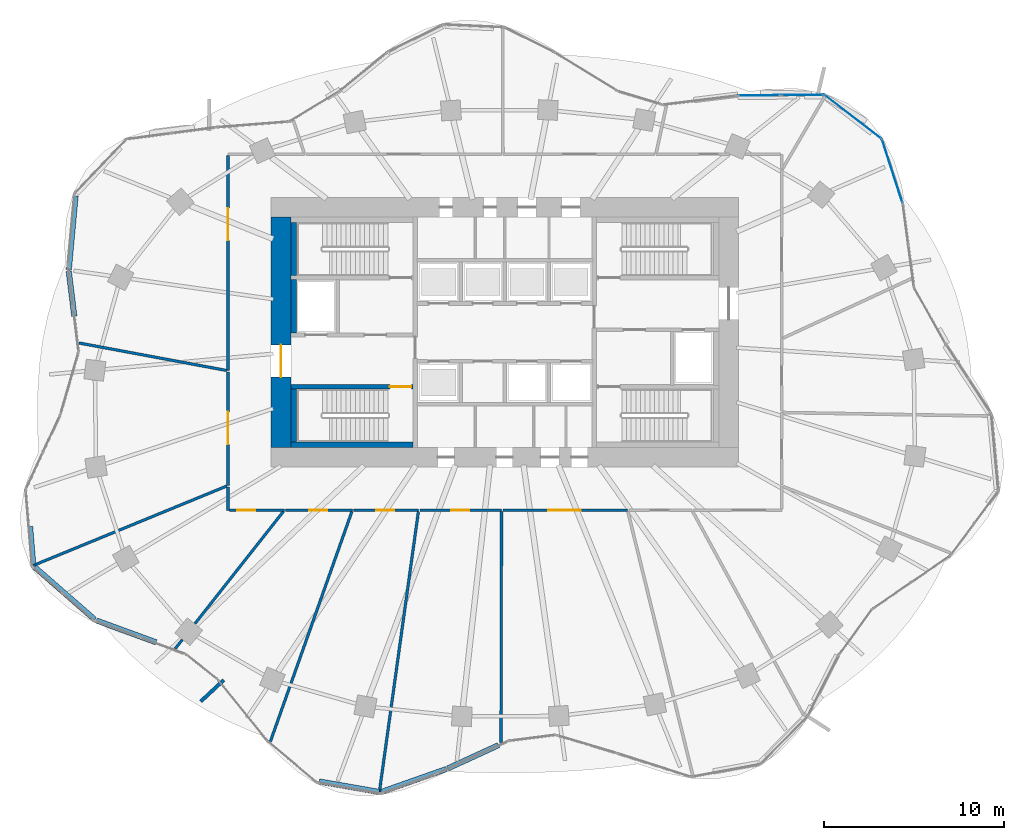
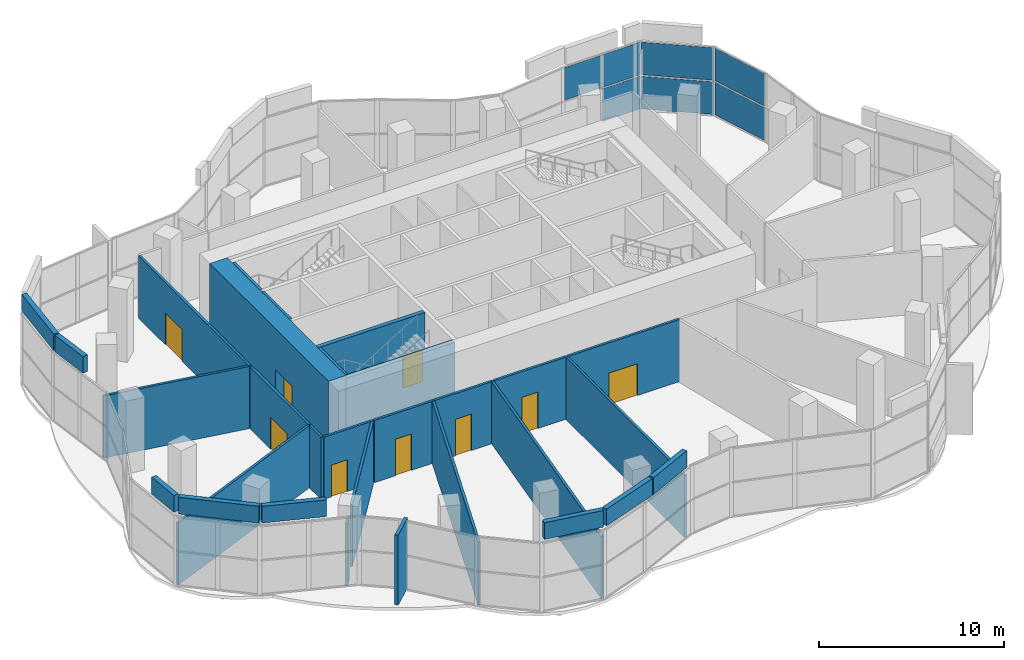
# One storey, part 11 of 16: 30 walls, 9 doors, 7 plates, 9 openings, 3 elements without a shape of their own.
"""IFC4 building model written with IfcOpenShell, lengths in metres."""

import ifcopenshell
import ifcopenshell.guid

model = None  # the IFC model being written
_history = None  # IfcOwnerHistory: only IFC2X3 demands one
_inside = {}  # id of a spatial element -> (the spatial element, [elements in it])
_under = {}  # id of a project, library or spatial element -> (it, [spatial elements below it])
_declared = {}  # id of a project -> (the project, [libraries it declares])
_typed = {}  # id of a type object -> (the type object, [elements of that type])
_made_of = {}  # id of a material, layer set ... -> (it, [elements and type objects made of it])


def new_model(schema):
    """Start an empty IFC model of exactly this schema.

    Asked for "IFC4X3", IfcOpenShell would pick the latest addendum, in which some entities
    have other attributes; the version numbers below select the first issue.
    IFC2X3 requires an IfcOwnerHistory on every rooted entity: one is made here for all.
    """
    global model, _history
    if schema == "IFC4X3":
        model = ifcopenshell.file(schema_version=(4, 3, 0, 0))
    else:
        model = ifcopenshell.file(schema=schema)
    _inside.clear()
    _under.clear()
    _declared.clear()
    _typed.clear()
    _made_of.clear()
    _history = None
    if model.schema == "IFC2X3":
        org = make("IfcOrganization", Name="unknown")
        user = make(
            "IfcPersonAndOrganization",
            ThePerson=make("IfcPerson", FamilyName="unknown"),
            TheOrganization=org,
        )
        app = make(
            "IfcApplication",
            ApplicationDeveloper=org,
            Version="unknown",
            ApplicationFullName="unknown",
            ApplicationIdentifier="unknown",
        )
        _history = make(
            "IfcOwnerHistory",
            OwningUser=user,
            OwningApplication=app,
            ChangeAction="ADDED",
            CreationDate=0,
        )
    return model


def make(cls, **values):
    """One entity of the class cls with the attributes given. An attribute that is None is left unset."""
    return model.create_entity(
        cls, **{name: value for name, value in values.items() if value is not None}
    )


def rooted(cls, **values):
    """An entity with a GlobalId (a new one), such as an element, a storey or a relation."""
    return make(cls, GlobalId=ifcopenshell.guid.new(), OwnerHistory=_history, **values)


def si_unit(unit_type, name, prefix=None):
    """IfcSIUnit, for example si_unit("LENGTHUNIT", "METRE", prefix="MILLI")."""
    return make("IfcSIUnit", UnitType=unit_type, Prefix=prefix, Name=name)


def assignment(units):
    """IfcUnitAssignment: the units of a project."""
    return None if units is None else make("IfcUnitAssignment", Units=units)


def point(xyz):
    """IfcCartesianPoint."""
    return None if xyz is None else make("IfcCartesianPoint", Coordinates=xyz)


def direction(xyz):
    """IfcDirection."""
    return None if xyz is None else make("IfcDirection", DirectionRatios=xyz)


def frame(location, z_axis=None, x_axis=None):
    """IfcAxis2Placement3D, a coordinate frame: its origin and axes. An axis left out is left unset."""
    return make(
        "IfcAxis2Placement3D",
        Location=point(location),
        Axis=direction(z_axis),
        RefDirection=direction(x_axis),
    )


def frame_2d(location, x_axis=None):
    """IfcAxis2Placement2D, a coordinate frame in the plane: its origin and x axis."""
    return make(
        "IfcAxis2Placement2D", Location=point(location), RefDirection=direction(x_axis)
    )


def origin():
    """The frame at (0, 0, 0) with its axes left unset."""
    return frame((0.0, 0.0, 0.0))


def origin_2d():
    """The frame at (0, 0) in the plane with its x axis left unset."""
    return frame_2d((0.0, 0.0))


def place(relative_to, where):
    """IfcLocalPlacement: puts the frame where relative to a parent placement (None: the world)."""
    return make(
        "IfcLocalPlacement", PlacementRelTo=relative_to, RelativePlacement=where
    )


def context(
    kind, dimensions, precision=None, world=None, true_north=None, identifier=None
):
    """IfcGeometricRepresentationContext, for example the 3D "Model" context."""
    return make(
        "IfcGeometricRepresentationContext",
        ContextIdentifier=identifier,
        ContextType=kind,
        CoordinateSpaceDimension=dimensions,
        Precision=precision,
        WorldCoordinateSystem=world,
        TrueNorth=true_north,
    )


def subcontext(parent, identifier, kind, view, scale=None):
    """IfcGeometricRepresentationSubContext, for example "Body" below "Model"."""
    return make(
        "IfcGeometricRepresentationSubContext",
        ContextIdentifier=identifier,
        ContextType=kind,
        ParentContext=parent,
        TargetScale=scale,
        TargetView=view,
    )


def project(units=None, contexts=None):
    """IfcProject with its units and contexts."""
    return rooted(
        "IfcProject",
        Name="project",
        RepresentationContexts=contexts,
        UnitsInContext=assignment(units),
    )


def spatial(cls, under=None, at=None, **own):
    """A site, building, storey or space (cls), placed at a placement, below another one or the project."""
    s = rooted(cls, ObjectPlacement=at, **own)
    if under is not None:
        _under.setdefault(under.id(), (under, []))[1].append(s)
    return s


def profile(cls, at=None, kind="AREA", **sizes):
    """A parametric profile (cls). Its sizes go by their IFC names, for example OverallWidth=200.0."""
    return make(cls, ProfileType=kind, Position=at, **sizes)


def rectangle(**sizes):
    """IfcRectangleProfileDef."""
    return profile("IfcRectangleProfileDef", **sizes)


def extrude(swept, where, along, depth):
    """IfcExtrudedAreaSolid: the profile swept, set in the frame where, extruded along a direction by depth."""
    return make(
        "IfcExtrudedAreaSolid",
        SweptArea=swept,
        Position=where,
        ExtrudedDirection=direction(along),
        Depth=depth,
    )


def shape(context_of_items, identifier, shape_type, items):
    """IfcShapeRepresentation: the items that make up one representation, for example the "Body"."""
    return make(
        "IfcShapeRepresentation",
        ContextOfItems=context_of_items,
        RepresentationIdentifier=identifier,
        RepresentationType=shape_type,
        Items=items,
    )


def material(Name=None, Category=None):
    """IfcMaterial."""
    return make("IfcMaterial", Name=Name, Category=Category)


def layer(
    of_material, thickness, ventilated=None, Name=None, Category=None, Priority=None
):
    """IfcMaterialLayer: one layer of a wall or slab, of a material (None: an air gap)."""
    return make(
        "IfcMaterialLayer",
        Material=of_material,
        LayerThickness=thickness,
        IsVentilated=ventilated,
        Name=Name,
        Category=Category,
        Priority=Priority,
    )


def layer_set(layers, Name=None):
    """IfcMaterialLayerSet."""
    return make("IfcMaterialLayerSet", MaterialLayers=layers, LayerSetName=Name)


def made_of(thing, what):
    """Note that an element or type object is made of a material, layer set ...; save() writes the relation."""
    if what is not None:
        _made_of.setdefault(what.id(), (what, []))[1].append(thing)
    return thing


def type_object(cls, material=None, **own):
    """A type object (cls), such as IfcWallType, which elements share."""
    return made_of(rooted(cls, **own), material)


def element(
    cls,
    number,
    at=None,
    inside=None,
    cuts=None,
    type_object=None,
    material=None,
    context=None,
    identifier="Body",
    shape_type=None,
    held_by="IfcProductDefinitionShape",
    body=None,
    shapes=None,
    **own,
):
    """One element of the class cls, such as IfcWall. Its Tag is "e" and its number.

    at: its placement. inside: the storey or other place that contains it. cuts: it is an
    opening in that element (IfcRelVoidsElement). A single representation is given by context,
    identifier, shape_type and body (its items); several are given by shapes. held_by: the class
    of the entity that holds the representations. save() writes the other relations.
    """
    e = rooted(cls, Tag="e%d" % number, ObjectPlacement=at, **own)
    if body is not None:
        shapes = [shape(context, identifier, shape_type, body)]
    if shapes is not None:
        e.Representation = make(held_by, Representations=shapes)
    if inside is not None:
        _inside.setdefault(inside.id(), (inside, []))[1].append(e)
    if cuts is not None:
        rooted(
            "IfcRelVoidsElement", RelatingBuildingElement=cuts, RelatedOpeningElement=e
        )
    if type_object is not None:
        _typed.setdefault(type_object.id(), (type_object, []))[1].append(e)
    return made_of(e, material)


def fill(opening, filler):
    """IfcRelFillsElement: the door or window that sits in an opening."""
    return rooted(
        "IfcRelFillsElement",
        RelatingOpeningElement=opening,
        RelatedBuildingElement=filler,
    )


def aggregate(whole, parts):
    """IfcRelAggregates: a whole, such as a stair, and the parts it consists of."""
    return rooted("IfcRelAggregates", RelatingObject=whole, RelatedObjects=parts)


def save(model, path):
    """Write the relations noted so far, then the file.

    IfcRelAggregates (storeys below a building ...), IfcRelContainedInSpatialStructure (elements
    in a storey), IfcRelDefinesByType, IfcRelAssociatesMaterial and IfcRelDeclares: one each for
    every whole, place, type object, material and project.
    """
    for whole, parts in _under.values():
        aggregate(whole, parts)
    for where, things in _inside.values():
        rooted(
            "IfcRelContainedInSpatialStructure",
            RelatedElements=things,
            RelatingStructure=where,
        )
    for kind, things in _typed.values():
        rooted("IfcRelDefinesByType", RelatedObjects=things, RelatingType=kind)
    for what, things in _made_of.values():
        rooted("IfcRelAssociatesMaterial", RelatedObjects=things, RelatingMaterial=what)
    for by, libraries in _declared.values():
        rooted("IfcRelDeclares", RelatingContext=by, RelatedDefinitions=libraries)
    model.write(path)


model = new_model("IFC4")

# Units and contexts
model_context = context("Model", 3, precision=1e-05, world=origin(), true_north=direction((0.0, 1.0)))
body_context = subcontext(model_context, "Body", "Model", "MODEL_VIEW")
ifc_project = project(units=[si_unit("LENGTHUNIT", "METRE"), si_unit("AREAUNIT", "SQUARE_METRE"), si_unit("VOLUMEUNIT", "CUBIC_METRE"), si_unit("PLANEANGLEUNIT", "RADIAN"), si_unit("MASSUNIT", "GRAM", prefix="KILO")], contexts=[model_context])

# Site, building, storey
site_placement = place(None, origin())
site = spatial("IfcSite", under=ifc_project, at=site_placement, CompositionType="ELEMENT")
building_placement = place(site_placement, origin())
building = spatial("IfcBuilding", under=site, at=building_placement, Name="Rubra Terraces Tower", CompositionType="ELEMENT")
storey_placement = place(building_placement, frame((0.0, 0.0, 125.699951171875)))
storey = spatial("IfcBuildingStorey", under=building, at=storey_placement, Name="L30", CompositionType="ELEMENT", Elevation=125.699951171875)

# Curtain wall, plates
ifc_material_1 = material(Name="Aluminium and glass", Category="aluminium")
curtain_wall_type = type_object("IfcCurtainWallType", Name="Curtain wall Sky lobby glazing", PredefinedType="NOTDEFINED", material=ifc_material_1)
curtain_wall_1_placement = place(storey_placement, origin())
curtain_wall_1 = element("IfcCurtainWall", 1, at=curtain_wall_1_placement, inside=storey, type_object=curtain_wall_type, Name="L30 glazing bay 4", PredefinedType="NOTDEFINED")
ifc_material_2 = material(Name="Clear glass, laminated", Category="glass")
ifc_layer_1 = layer(ifc_material_2, 0.031982421875)
ifc_layer_set_1 = layer_set([ifc_layer_1], Name="Clear glass, laminated")
plate_type = type_object("IfcPlateType", Name="Sky lobby glazing glass panel 32", PredefinedType="CURTAIN_PANEL", material=ifc_layer_set_1)
plate_1_placement = place(storey_placement, frame((21.545166015625, 13.458984375, 0.10009765625), z_axis=(0.0, 0.0, 1.0), x_axis=(-0.308328259824, 0.95128002407, 0.0)))
plate_1 = element("IfcPlate", 2, at=plate_1_placement, type_object=plate_type, Name="CW2 panel 1.1", PredefinedType="CURTAIN_PANEL", context=body_context, shape_type="SweptSolid", body=[
    extrude(rectangle(XDim=3.6640625, YDim=0.028076171875, at=origin_2d()), origin(), (0.0, 0.0, 1.0), 2.14990234375),
])
plate_2_placement = place(storey_placement, frame((21.545166015625, 13.458984375, 2.35009765625), z_axis=(0.0, 0.0, 1.0), x_axis=(-0.308328259824, 0.95128002407, 0.0)))
plate_2 = element("IfcPlate", 3, at=plate_2_placement, type_object=plate_type, Name="CW2 panel 1.2", PredefinedType="CURTAIN_PANEL", context=body_context, shape_type="SweptSolid", body=[
    extrude(rectangle(XDim=3.6640625, YDim=0.028076171875, at=origin_2d()), origin(), (0.0, 0.0, 1.0), 2.14990234375),
])
aggregate(curtain_wall_1, [plate_1, plate_2])

curtain_wall_2_placement = place(storey_placement, origin())
curtain_wall_2 = element("IfcCurtainWall", 4, at=curtain_wall_2_placement, inside=storey, type_object=curtain_wall_type, Name="L30 glazing bay 5", PredefinedType="NOTDEFINED")
plate_3_placement = place(storey_placement, frame((19.3642578125, 16.47509765625, 0.10009765625), z_axis=(0.0, 0.0, 1.0), x_axis=(-0.791671031021, 0.610947607117, 0.0)))
plate_3 = element("IfcPlate", 5, at=plate_3_placement, type_object=plate_type, Name="CW2 panel 1.1", PredefinedType="CURTAIN_PANEL", context=body_context, shape_type="SweptSolid", body=[
    extrude(rectangle(XDim=3.980224609375, YDim=0.028076171875, at=origin_2d()), origin(), (0.0, 0.0, 1.0), 2.14990234375),
])
plate_4_placement = place(storey_placement, frame((19.3642578125, 16.47509765625, 2.35009765625), z_axis=(0.0, 0.0, 1.0), x_axis=(-0.791671031021, 0.610947607117, 0.0)))
plate_4 = element("IfcPlate", 6, at=plate_4_placement, type_object=plate_type, Name="CW2 panel 1.2", PredefinedType="CURTAIN_PANEL", context=body_context, shape_type="SweptSolid", body=[
    extrude(rectangle(XDim=3.980224609375, YDim=0.028076171875, at=origin_2d()), origin(), (0.0, 0.0, 1.0), 2.14990234375),
])
aggregate(curtain_wall_2, [plate_3, plate_4])

curtain_wall_3_placement = place(storey_placement, origin())
curtain_wall_3 = element("IfcCurtainWall", 7, at=curtain_wall_3_placement, inside=storey, type_object=curtain_wall_type, Name="L30 glazing bay 6", PredefinedType="NOTDEFINED")
plate_5_placement = place(storey_placement, frame((16.56005859375, 17.69970703125, 0.10009765625), z_axis=(0.0, 0.0, 1.0), x_axis=(-0.99995015627, -0.0099842364, 0.0)))
plate_5 = element("IfcPlate", 8, at=plate_5_placement, type_object=plate_type, Name="CW2 panel 1.1", PredefinedType="CURTAIN_PANEL", context=body_context, shape_type="SweptSolid", body=[
    extrude(rectangle(XDim=2.333740234375, YDim=0.028076171875, at=origin_2d()), origin(), (0.0, 0.0, 1.0), 2.14990234375),
])
plate_6_placement = place(storey_placement, frame((16.56005859375, 17.69970703125, 2.35009765625), z_axis=(0.0, 0.0, 1.0), x_axis=(-0.99995015627, -0.0099842364, 0.0)))
plate_6 = element("IfcPlate", 9, at=plate_6_placement, type_object=plate_type, Name="CW2 panel 1.2", PredefinedType="CURTAIN_PANEL", context=body_context, shape_type="SweptSolid", body=[
    extrude(rectangle(XDim=2.333740234375, YDim=0.028076171875, at=origin_2d()), origin(), (0.0, 0.0, 1.0), 2.14990234375),
])
plate_7_placement = place(storey_placement, frame((14.166259765625, 17.67578125, 2.35009765625), z_axis=(0.0, 0.0, 1.0), x_axis=(-0.99995015627, -0.0099842364, 0.0)))
plate_7 = element("IfcPlate", 10, at=plate_7_placement, type_object=plate_type, Name="CW2 panel 2.2", PredefinedType="CURTAIN_PANEL", context=body_context, shape_type="SweptSolid", body=[
    extrude(rectangle(XDim=2.333740234375, YDim=0.028076171875, at=origin_2d()), origin(), (0.0, 0.0, 1.0), 2.14990234375),
])
aggregate(curtain_wall_3, [plate_5, plate_6, plate_7])

# Walls
ifc_material_3 = material(Name="Brick masonry red-brown", Category="masonry")
ifc_layer_2 = layer(ifc_material_3, 0.300048828125)
ifc_layer_set_2 = layer_set([ifc_layer_2], Name="Brick masonry red-brown")
wall_type_1 = type_object("IfcWallType", Name="Brick parapet 300", PredefinedType="PARAPET", material=ifc_layer_set_2)
wall_1_placement = place(storey_placement, frame((-23.875, 12.08740234375, 4.800048828125), z_axis=(0.0, 0.0, 1.0), x_axis=(-0.091842900475, -0.995773509204, 0.0)))
element("IfcWall", 11, at=wall_1_placement, inside=storey, type_object=wall_type_1, Name="Parapet L30 bay 18", PredefinedType="PARAPET", context=body_context, shape_type="SweptSolid", body=[
    extrude(rectangle(XDim=4.12548828125, YDim=0.300048828125, at=frame_2d((2.062744140625, 0.0))), origin(), (0.0, 0.0, 1.0), 1.10009765625),
])
wall_2_placement = place(storey_placement, frame((-24.25244140625, 7.887451171875, 4.800048828125), z_axis=(0.0, 0.0, 1.0), x_axis=(0.122315432018, -0.992491277085, 0.0)))
element("IfcWall", 12, at=wall_2_placement, inside=storey, type_object=wall_type_1, Name="Parapet L30 bay 19", PredefinedType="PARAPET", context=body_context, shape_type="SweptSolid", body=[
    extrude(rectangle(XDim=2.516845703125, YDim=0.300048828125, at=frame_2d((1.25830078125, 0.0))), origin(), (0.0, 0.0, 1.0), 1.10009765625),
])
wall_3_placement = place(storey_placement, frame((-26.4072265625, -6.296142578125, 4.800048828125), z_axis=(0.0, 0.0, 1.0), x_axis=(0.083236561351, -0.99652981634, 0.0)))
element("IfcWall", 13, at=wall_3_placement, inside=storey, type_object=wall_type_1, Name="Parapet L30 bay 22", PredefinedType="PARAPET", context=body_context, shape_type="SweptSolid", body=[
    extrude(rectangle(XDim=2.11474609375, YDim=0.300048828125, at=frame_2d((1.057373046875, 0.0))), origin(), (0.0, 0.0, 1.0), 1.10009765625),
])
wall_4_placement = place(storey_placement, frame((-26.1552734375, -8.5537109375, 4.800048828125), z_axis=(0.0, 0.0, 1.0), x_axis=(0.753400870431, -0.657561501636, 0.0)))
element("IfcWall", 14, at=wall_4_placement, inside=storey, type_object=wall_type_1, Name="Parapet L30 bay 23", PredefinedType="PARAPET", context=body_context, shape_type="SweptSolid", body=[
    extrude(rectangle(XDim=4.4375, YDim=0.300048828125, at=frame_2d((2.21875, 0.0))), origin(), (0.0, 0.0, 1.0), 1.10009765625),
])
wall_5_placement = place(storey_placement, frame((-22.714111328125, -11.529541015625, 4.800048828125), z_axis=(0.0, 0.0, 1.0), x_axis=(0.93926063174, -0.343204699361, 0.0)))
element("IfcWall", 15, at=wall_5_placement, inside=storey, type_object=wall_type_1, Name="Parapet L30 bay 24", PredefinedType="PARAPET", context=body_context, shape_type="SweptSolid", body=[
    extrude(rectangle(XDim=3.526123046875, YDim=0.300048828125, at=frame_2d((1.76318359375, 0.0))), origin(), (0.0, 0.0, 1.0), 1.10009765625),
])
wall_6_placement = place(storey_placement, frame((-10.322265625, -20.4814453125, 4.800048828125), z_axis=(0.0, 0.0, 1.0), x_axis=(0.985027412627, -0.172397785292, 0.0)))
element("IfcWall", 16, at=wall_6_placement, inside=storey, type_object=wall_type_1, Name="Parapet L30 bay 28", PredefinedType="PARAPET", context=body_context, shape_type="SweptSolid", body=[
    extrude(rectangle(XDim=3.39306640625, YDim=0.300048828125, at=frame_2d((1.696533203125, 0.0))), origin(), (0.0, 0.0, 1.0), 1.10009765625),
])
wall_7_placement = place(storey_placement, frame((-6.846435546875, -21.055419921875, 4.800048828125), z_axis=(0.0, 0.0, 1.0), x_axis=(0.943055230823, 0.33263618507, 0.0)))
element("IfcWall", 17, at=wall_7_placement, inside=storey, type_object=wall_type_1, Name="Parapet L30 bay 29", PredefinedType="PARAPET", context=body_context, shape_type="SweptSolid", body=[
    extrude(rectangle(XDim=3.81884765625, YDim=0.300048828125, at=frame_2d((1.909423828125, 0.0))), origin(), (0.0, 0.0, 1.0), 1.10009765625),
])
wall_8_placement = place(storey_placement, frame((-3.177001953125, -19.75732421875, 4.800048828125), z_axis=(0.0, 0.0, 1.0), x_axis=(0.90873239321, 0.417379249042, 0.0)))
element("IfcWall", 18, at=wall_8_placement, inside=storey, type_object=wall_type_1, Name="Parapet L30 bay 30", PredefinedType="PARAPET", context=body_context, shape_type="SweptSolid", body=[
    extrude(rectangle(XDim=3.10888671875, YDim=0.300048828125, at=frame_2d((1.554443359375, 0.0))), origin(), (0.0, 0.0, 1.0), 1.10009765625),
])
ifc_layer_3 = layer(ifc_material_3, 0.199951171875)
ifc_layer_set_3 = layer_set([ifc_layer_3], Name="Brick masonry red-brown")
wall_type_2 = type_object("IfcWallType", Name="Brick wind fin 200", PredefinedType="SOLIDWALL", material=ifc_layer_set_3)
wall_9_placement = place(storey_placement, frame((-15.632080078125, -14.837890625, 0.0), z_axis=(0.0, 0.0, 1.0), x_axis=(-0.73177399504, -0.681547371929, 0.0)))
element("IfcWall", 19, at=wall_9_placement, inside=storey, type_object=wall_type_2, Name="Wind fin L30 13", PredefinedType="SOLIDWALL", context=body_context, shape_type="SweptSolid", body=[
    extrude(rectangle(XDim=1.75, YDim=0.199951171875, at=frame_2d((0.875, 0.0))), origin(), (0.0, 0.0, 1.0), 4.60009765625),
])

# Wall, opening, door
ifc_material_4 = material(Name="Concrete C60", Category="concrete")
ifc_layer_4 = layer(ifc_material_4, 1.10009765625)
ifc_layer_set_4 = layer_set([ifc_layer_4], Name="Concrete C60")
wall_type_3 = type_object("IfcWallType", Name="CORE WALL 1100 C60", PredefinedType="SHEAR", material=ifc_layer_set_4)
wall_10_placement = place(storey_placement, frame((-12.449951171875, -1.89990234375, 0.0), z_axis=(0.0, 0.0, 1.0), x_axis=(0.0, 1.0, 0.0)))
wall_10 = element("IfcWall", 20, at=wall_10_placement, inside=storey, type_object=wall_type_3, Name="CORE WALL W L30", PredefinedType="SHEAR", context=body_context, shape_type="SweptSolid", body=[
    extrude(rectangle(XDim=12.7998046875, YDim=1.10009765625, at=frame_2d((6.39990234375, 0.0))), origin(), (0.0, 0.0, 1.0), 4.800048828125),
])
opening_1_placement = place(wall_10_placement, frame((3.89990234375, 0.0, 0.0)))
opening_1 = element("IfcOpeningElement", 21, at=opening_1_placement, cuts=wall_10, Name="Opening L30.C01", PredefinedType="OPENING", context=body_context, shape_type="SweptSolid", body=[
    extrude(rectangle(XDim=1.800048828125, YDim=2.10009765625, at=frame_2d((0.89990234375, 1.050048828125))), frame((0.0, 0.56005859375, 0.0), z_axis=(0.0, -1.0, 0.0), x_axis=(1.0, 0.0, 0.0)), (0.0, 0.0, 1.0), 1.1201171875),
])
ifc_material_5 = material(Name="Painted steel", Category="steel")
door_type_1 = type_object("IfcDoorType", Name="Fire door 1800x2100 double", OperationType="NOTDEFINED", PredefinedType="DOOR", material=ifc_material_5)
door_1_placement = place(opening_1_placement, origin())
door_1 = element("IfcDoor", 22, at=door_1_placement, inside=storey, type_object=door_type_1, Name="Core entrance door FF1", OperationType="DOUBLE_DOOR_SINGLE_SWING", OverallHeight=2.10009765625, OverallWidth=1.800048828125, PredefinedType="DOOR", context=body_context, shape_type="SweptSolid", body=[
    extrude(rectangle(XDim=1.800048828125, YDim=2.10009765625, at=frame_2d((0.89990234375, 1.050048828125))), frame((0.0, 0.02490234375, 0.0), z_axis=(0.0, -1.0, 0.0), x_axis=(1.0, 0.0, 0.0)), (0.0, 0.0, 1.0), 0.050048828125),
])
fill(opening_1, door_1)

ifc_material_6 = material(Name="Plasterboard on steel stud, mineral wool infill", Category="steel")
ifc_layer_5 = layer(ifc_material_6, 0.14990234375)
ifc_layer_set_5 = layer_set([ifc_layer_5], Name="Plasterboard on steel stud, mineral wool infill")
wall_type_4 = type_object("IfcWallType", Name="CORRIDOR PARTITION 150", PredefinedType="PARTITIONING", material=ifc_layer_set_5)
wall_11_placement = place(storey_placement, frame((-15.39990234375, 14.324951171875, 0.0), z_axis=(0.0, 0.0, 1.0), x_axis=(0.0, -1.0, 0.0)))
wall_11 = element("IfcWall", 23, at=wall_11_placement, inside=storey, type_object=wall_type_4, Name="PARTITION", PredefinedType="PARTITIONING", context=body_context, shape_type="SweptSolid", body=[
    extrude(rectangle(XDim=11.962646484375, YDim=0.14990234375, at=frame_2d((5.9814453125, 0.0))), origin(), (0.0, 0.0, 1.0), 4.09814453125),
])
opening_2_placement = place(wall_11_placement, frame((2.9130859375, 0.0, 0.0)))
opening_2 = element("IfcOpeningElement", 24, at=opening_2_placement, cuts=wall_11, Name="Opening 30-101", PredefinedType="OPENING", context=body_context, shape_type="SweptSolid", body=[
    extrude(rectangle(XDim=1.800048828125, YDim=2.10009765625, at=frame_2d((0.89990234375, 1.050048828125))), frame((0.0, 0.0849609375, 0.0), z_axis=(0.0, -1.0, 0.0), x_axis=(1.0, 0.0, 0.0)), (0.0, 0.0, 1.0), 0.169921875),
])
ifc_material_7 = material(Name="Painted timber door leaf, double", Category="wood")
door_type_2 = type_object("IfcDoorType", Name="ROOM DOUBLE DOOR 1800 X 2100", OperationType="DOUBLE_DOOR_SINGLE_SWING", PredefinedType="DOOR", material=ifc_material_7)
door_2_placement = place(opening_2_placement, origin())
door_2 = element("IfcDoor", 25, at=door_2_placement, inside=storey, type_object=door_type_2, Name="DOOR 30-101", OperationType="DOUBLE_DOOR_SINGLE_SWING", OverallHeight=2.10009765625, OverallWidth=1.800048828125, PredefinedType="DOOR", context=body_context, shape_type="SweptSolid", body=[
    extrude(rectangle(XDim=1.800048828125, YDim=2.10009765625, at=frame_2d((0.89990234375, 1.050048828125))), frame((0.0, 0.02490234375, 0.0), z_axis=(0.0, -1.0, 0.0), x_axis=(1.0, 0.0, 0.0)), (0.0, 0.0, 1.0), 0.050048828125),
])
fill(opening_2, door_2)

wall_12_placement = place(storey_placement, frame((-15.39990234375, 2.287353515625, 0.0), z_axis=(0.0, 0.0, 1.0), x_axis=(0.0, -1.0, 0.0)))
wall_12 = element("IfcWall", 26, at=wall_12_placement, inside=storey, type_object=wall_type_4, Name="PARTITION", PredefinedType="PARTITIONING", context=body_context, shape_type="SweptSolid", body=[
    extrude(rectangle(XDim=6.310302734375, YDim=0.14990234375, at=frame_2d((3.1552734375, 0.0))), origin(), (0.0, 0.0, 1.0), 4.09814453125),
])
opening_3_placement = place(wall_12_placement, frame((2.218017578125, 0.0, 0.0)))
opening_3 = element("IfcOpeningElement", 27, at=opening_3_placement, cuts=wall_12, Name="Opening 30-102", PredefinedType="OPENING", context=body_context, shape_type="SweptSolid", body=[
    extrude(rectangle(XDim=1.800048828125, YDim=2.10009765625, at=frame_2d((0.89990234375, 1.050048828125))), frame((0.0, 0.0849609375, 0.0), z_axis=(0.0, -1.0, 0.0), x_axis=(1.0, 0.0, 0.0)), (0.0, 0.0, 1.0), 0.169921875),
])
door_3_placement = place(opening_3_placement, origin())
door_3 = element("IfcDoor", 28, at=door_3_placement, inside=storey, type_object=door_type_2, Name="DOOR 30-102", OperationType="DOUBLE_DOOR_SINGLE_SWING", OverallHeight=2.10009765625, OverallWidth=1.800048828125, PredefinedType="DOOR", context=body_context, shape_type="SweptSolid", body=[
    extrude(rectangle(XDim=1.800048828125, YDim=2.10009765625, at=frame_2d((0.89990234375, 1.050048828125))), frame((0.0, 0.02490234375, 0.0), z_axis=(0.0, -1.0, 0.0), x_axis=(1.0, 0.0, 0.0)), (0.0, 0.0, 1.0), 0.050048828125),
])
fill(opening_3, door_3)

# Wall
wall_13_placement = place(storey_placement, frame((-15.39990234375, -4.097900390625, 0.0), z_axis=(0.0, 0.0, 1.0), x_axis=(0.0, -1.0, 0.0)))
element("IfcWall", 29, at=wall_13_placement, inside=storey, type_object=wall_type_4, Name="PARTITION", PredefinedType="PARTITIONING", context=body_context, shape_type="SweptSolid", body=[
    extrude(rectangle(XDim=1.302001953125, YDim=0.14990234375, at=frame_2d((0.65087890625, 0.0))), origin(), (0.0, 0.0, 1.0), 4.09814453125),
])

# Wall, opening, door
wall_14_placement = place(storey_placement, frame((-15.324951171875, -5.39990234375, 0.0), z_axis=(0.0, 0.0, 1.0), x_axis=(1.0, 0.0, 0.0)))
wall_14 = element("IfcWall", 30, at=wall_14_placement, inside=storey, type_object=wall_type_4, Name="PARTITION", PredefinedType="PARTITIONING", context=body_context, shape_type="SweptSolid", body=[
    extrude(rectangle(XDim=3.059326171875, YDim=0.14990234375, at=frame_2d((1.52978515625, 0.0))), origin(), (0.0, 0.0, 1.0), 4.09814453125),
])
opening_4_placement = place(wall_14_placement, frame((0.449951171875, 0.0, 0.0)))
opening_4 = element("IfcOpeningElement", 31, at=opening_4_placement, cuts=wall_14, Name="Opening 30-103", PredefinedType="OPENING", context=body_context, shape_type="SweptSolid", body=[
    extrude(rectangle(XDim=1.0, YDim=2.10009765625, at=frame_2d((0.5, 1.050048828125))), frame((0.0, 0.0849609375, 0.0), z_axis=(0.0, -1.0, 0.0), x_axis=(1.0, 0.0, 0.0)), (0.0, 0.0, 1.0), 0.169921875),
])
ifc_material_8 = material(Name="Painted timber door leaf", Category="wood")
door_type_3 = type_object("IfcDoorType", Name="ROOM DOOR 1000 X 2100", OperationType="SINGLE_SWING_LEFT", PredefinedType="DOOR", material=ifc_material_8)
door_4_placement = place(opening_4_placement, origin())
door_4 = element("IfcDoor", 32, at=door_4_placement, inside=storey, type_object=door_type_3, Name="DOOR 30-103", OperationType="SINGLE_SWING_RIGHT", OverallHeight=2.10009765625, OverallWidth=1.0, PredefinedType="DOOR", context=body_context, shape_type="SweptSolid", body=[
    extrude(rectangle(XDim=1.0, YDim=2.10009765625, at=frame_2d((0.5, 1.050048828125))), frame((0.0, 0.02490234375, 0.0), z_axis=(0.0, -1.0, 0.0), x_axis=(1.0, 0.0, 0.0)), (0.0, 0.0, 1.0), 0.050048828125),
])
fill(opening_4, door_4)

wall_15_placement = place(storey_placement, frame((-12.190673828125, -5.39990234375, 0.0), z_axis=(0.0, 0.0, 1.0), x_axis=(1.0, 0.0, 0.0)))
wall_15 = element("IfcWall", 33, at=wall_15_placement, inside=storey, type_object=wall_type_4, Name="PARTITION", PredefinedType="PARTITIONING", context=body_context, shape_type="SweptSolid", body=[
    extrude(rectangle(XDim=3.707275390625, YDim=0.14990234375, at=frame_2d((1.853515625, 0.0))), origin(), (0.0, 0.0, 1.0), 4.09814453125),
])
opening_5_placement = place(wall_15_placement, frame((1.31591796875, 0.0, 0.0)))
opening_5 = element("IfcOpeningElement", 34, at=opening_5_placement, cuts=wall_15, Name="Opening 30-104", PredefinedType="OPENING", context=body_context, shape_type="SweptSolid", body=[
    extrude(rectangle(XDim=1.0, YDim=2.39990234375, at=frame_2d((0.5, 1.199951171875))), frame((0.0, 0.0849609375, 0.0), z_axis=(0.0, -1.0, 0.0), x_axis=(1.0, 0.0, 0.0)), (0.0, 0.0, 1.0), 0.169921875),
])
ifc_material_9 = material(Name="Glazed aluminium meeting door leaf", Category="aluminium")
door_type_4 = type_object("IfcDoorType", Name="MEETING ROOM GLAZED DOOR 1000 X 2400", OperationType="SINGLE_SWING_LEFT", PredefinedType="DOOR", material=ifc_material_9)
door_5_placement = place(opening_5_placement, origin())
door_5 = element("IfcDoor", 35, at=door_5_placement, inside=storey, type_object=door_type_4, Name="DOOR 30-104", OperationType="SINGLE_SWING_RIGHT", OverallHeight=2.39990234375, OverallWidth=1.0, PredefinedType="DOOR", context=body_context, shape_type="SweptSolid", body=[
    extrude(rectangle(XDim=1.0, YDim=2.39990234375, at=frame_2d((0.5, 1.199951171875))), frame((0.0, 0.02490234375, 0.0), z_axis=(0.0, -1.0, 0.0), x_axis=(1.0, 0.0, 0.0)), (0.0, 0.0, 1.0), 0.050048828125),
])
fill(opening_5, door_5)

wall_16_placement = place(storey_placement, frame((-8.408203125, -5.39990234375, 0.0), z_axis=(0.0, 0.0, 1.0), x_axis=(1.0, 0.0, 0.0)))
wall_16 = element("IfcWall", 36, at=wall_16_placement, inside=storey, type_object=wall_type_4, Name="PARTITION", PredefinedType="PARTITIONING", context=body_context, shape_type="SweptSolid", body=[
    extrude(rectangle(XDim=3.60791015625, YDim=0.14990234375, at=frame_2d((1.803955078125, 0.0))), origin(), (0.0, 0.0, 1.0), 4.09814453125),
])
opening_6_placement = place(wall_16_placement, frame((1.26708984375, 0.0, 0.0)))
opening_6 = element("IfcOpeningElement", 37, at=opening_6_placement, cuts=wall_16, Name="Opening 30-105", PredefinedType="OPENING", context=body_context, shape_type="SweptSolid", body=[
    extrude(rectangle(XDim=1.0, YDim=2.39990234375, at=frame_2d((0.5, 1.199951171875))), frame((0.0, 0.0849609375, 0.0), z_axis=(0.0, -1.0, 0.0), x_axis=(1.0, 0.0, 0.0)), (0.0, 0.0, 1.0), 0.169921875),
])
door_6_placement = place(opening_6_placement, origin())
door_6 = element("IfcDoor", 38, at=door_6_placement, inside=storey, type_object=door_type_4, Name="DOOR 30-105", OperationType="SINGLE_SWING_RIGHT", OverallHeight=2.39990234375, OverallWidth=1.0, PredefinedType="DOOR", context=body_context, shape_type="SweptSolid", body=[
    extrude(rectangle(XDim=1.0, YDim=2.39990234375, at=frame_2d((0.5, 1.199951171875))), frame((0.0, 0.02490234375, 0.0), z_axis=(0.0, -1.0, 0.0), x_axis=(1.0, 0.0, 0.0)), (0.0, 0.0, 1.0), 0.050048828125),
])
fill(opening_6, door_6)

wall_17_placement = place(storey_placement, frame((-4.72509765625, -5.39990234375, 0.0), z_axis=(0.0, 0.0, 1.0), x_axis=(1.0, 0.0, 0.0)))
wall_17 = element("IfcWall", 39, at=wall_17_placement, inside=storey, type_object=wall_type_4, Name="PARTITION", PredefinedType="PARTITIONING", context=body_context, shape_type="SweptSolid", body=[
    extrude(rectangle(XDim=4.538330078125, YDim=0.14990234375, at=frame_2d((2.26904296875, 0.0))), origin(), (0.0, 0.0, 1.0), 4.09814453125),
])
opening_7_placement = place(wall_17_placement, frame((1.73193359375, 0.0, 0.0)))
opening_7 = element("IfcOpeningElement", 40, at=opening_7_placement, cuts=wall_17, Name="Opening 30-106", PredefinedType="OPENING", context=body_context, shape_type="SweptSolid", body=[
    extrude(rectangle(XDim=1.0, YDim=2.39990234375, at=frame_2d((0.5, 1.199951171875))), frame((0.0, 0.0849609375, 0.0), z_axis=(0.0, -1.0, 0.0), x_axis=(1.0, 0.0, 0.0)), (0.0, 0.0, 1.0), 0.169921875),
])
door_7_placement = place(opening_7_placement, origin())
door_7 = element("IfcDoor", 41, at=door_7_placement, inside=storey, type_object=door_type_4, Name="DOOR 30-106", OperationType="SINGLE_SWING_RIGHT", OverallHeight=2.39990234375, OverallWidth=1.0, PredefinedType="DOOR", context=body_context, shape_type="SweptSolid", body=[
    extrude(rectangle(XDim=1.0, YDim=2.39990234375, at=frame_2d((0.5, 1.199951171875))), frame((0.0, 0.02490234375, 0.0), z_axis=(0.0, -1.0, 0.0), x_axis=(1.0, 0.0, 0.0)), (0.0, 0.0, 1.0), 0.050048828125),
])
fill(opening_7, door_7)

wall_18_placement = place(storey_placement, frame((-0.11181640625, -5.39990234375, 0.0), z_axis=(0.0, 0.0, 1.0), x_axis=(1.0, 0.0, 0.0)))
wall_18 = element("IfcWall", 42, at=wall_18_placement, inside=storey, type_object=wall_type_4, Name="PARTITION", PredefinedType="PARTITIONING", context=body_context, shape_type="SweptSolid", body=[
    extrude(rectangle(XDim=6.936767578125, YDim=0.14990234375, at=frame_2d((3.46826171875, 0.0))), origin(), (0.0, 0.0, 1.0), 4.09814453125),
])
opening_8_placement = place(wall_18_placement, frame((2.531005859375, 0.0, 0.0)))
opening_8 = element("IfcOpeningElement", 43, at=opening_8_placement, cuts=wall_18, Name="Opening 30-107", PredefinedType="OPENING", context=body_context, shape_type="SweptSolid", body=[
    extrude(rectangle(XDim=1.800048828125, YDim=2.10009765625, at=frame_2d((0.89990234375, 1.050048828125))), frame((0.0, 0.0849609375, 0.0), z_axis=(0.0, -1.0, 0.0), x_axis=(1.0, 0.0, 0.0)), (0.0, 0.0, 1.0), 0.169921875),
])
door_8_placement = place(opening_8_placement, origin())
door_8 = element("IfcDoor", 44, at=door_8_placement, inside=storey, type_object=door_type_2, Name="DOOR 30-107", OperationType="DOUBLE_DOOR_SINGLE_SWING", OverallHeight=2.10009765625, OverallWidth=1.800048828125, PredefinedType="DOOR", context=body_context, shape_type="SweptSolid", body=[
    extrude(rectangle(XDim=1.800048828125, YDim=2.10009765625, at=frame_2d((0.89990234375, 1.050048828125))), frame((0.0, 0.02490234375, 0.0), z_axis=(0.0, -1.0, 0.0), x_axis=(1.0, 0.0, 0.0)), (0.0, 0.0, 1.0), 0.050048828125),
])
fill(opening_8, door_8)

# Walls
ifc_material_10 = material(Name="Concrete C40", Category="concrete")
ifc_layer_6 = layer(ifc_material_10, 0.300048828125)
ifc_layer_set_6 = layer_set([ifc_layer_6], Name="Concrete C40")
wall_type_5 = type_object("IfcWallType", Name="Core lining wall 300 concrete", PredefinedType="SOLIDWALL", material=ifc_layer_set_6)
wall_19_placement = place(storey_placement, frame((-11.89990234375, -1.75, 0.0), z_axis=(0.0, 0.0, 1.0), x_axis=(1.0, 0.0, 0.0)))
element("IfcWall", 45, at=wall_19_placement, inside=storey, type_object=wall_type_5, Name="CORE LINING WALL L30", PredefinedType="SOLIDWALL", context=body_context, shape_type="SweptSolid", body=[
    extrude(rectangle(XDim=6.7998046875, YDim=0.300048828125, at=frame_2d((3.39990234375, 0.0))), origin(), (0.0, 0.0, 1.0), 4.60009765625),
])
wall_20_placement = place(storey_placement, frame((-11.75, -1.60009765625, 0.0), z_axis=(0.0, 0.0, 1.0), x_axis=(0.0, 1.0, 0.0)))
element("IfcWall", 46, at=wall_20_placement, inside=storey, type_object=wall_type_5, Name="CORE LINING WALL L30", PredefinedType="SOLIDWALL", context=body_context, shape_type="SweptSolid", body=[
    extrude(rectangle(XDim=2.9501953125, YDim=0.300048828125, at=frame_2d((1.47509765625, 0.0))), origin(), (0.0, 0.0, 1.0), 4.60009765625),
])
wall_21_placement = place(storey_placement, frame((-11.75, 4.449951171875, 0.0), z_axis=(0.0, 0.0, 1.0), x_axis=(0.0, 1.0, 0.0)))
element("IfcWall", 47, at=wall_21_placement, inside=storey, type_object=wall_type_5, Name="CORE LINING WALL L30", PredefinedType="SOLIDWALL", context=body_context, shape_type="SweptSolid", body=[
    extrude(rectangle(XDim=3.0, YDim=0.300048828125, at=frame_2d((1.5, 0.0))), origin(), (0.0, 0.0, 1.0), 4.60009765625),
])
wall_22_placement = place(storey_placement, frame((-11.75, 7.64990234375, 0.0), z_axis=(0.0, 0.0, 1.0), x_axis=(0.0, 1.0, 0.0)))
element("IfcWall", 48, at=wall_22_placement, inside=storey, type_object=wall_type_5, Name="CORE LINING WALL L30", PredefinedType="SOLIDWALL", context=body_context, shape_type="SweptSolid", body=[
    extrude(rectangle(XDim=2.9501953125, YDim=0.300048828125, at=frame_2d((1.47509765625, 0.0))), origin(), (0.0, 0.0, 1.0), 4.60009765625),
])
ifc_material_11 = material(Name="Plasterboard on steel stud", Category="steel")
ifc_layer_7 = layer(ifc_material_11, 0.14990234375)
ifc_layer_set_7 = layer_set([ifc_layer_7], Name="Plasterboard on steel stud")
wall_type_6 = type_object("IfcWallType", Name="ROOM PARTITION 150", PredefinedType="PARTITIONING", material=ifc_layer_set_7)
wall_23_placement = place(storey_placement, frame((-23.681884765625, 3.904296875, 0.0), z_axis=(0.0, 0.0, 1.0), x_axis=(0.983104115743, -0.183047255125, 0.0)))
element("IfcWall", 49, at=wall_23_placement, inside=storey, type_object=wall_type_6, Name="PARTITION", PredefinedType="PARTITIONING", context=body_context, shape_type="SweptSolid", body=[
    extrude(rectangle(XDim=8.349365234375, YDim=0.14990234375, at=frame_2d((4.1748046875, 0.0))), origin(), (0.0, 0.0, 1.0), 4.09814453125),
])
wall_24_placement = place(storey_placement, frame((-26.216552734375, -8.46337890625, 0.0), z_axis=(0.0, 0.0, 1.0), x_axis=(0.925083636107, 0.379763434532, 0.0)))
element("IfcWall", 50, at=wall_24_placement, inside=storey, type_object=wall_type_6, Name="PARTITION", PredefinedType="PARTITIONING", context=body_context, shape_type="SweptSolid", body=[
    extrude(rectangle(XDim=11.617431640625, YDim=0.14990234375, at=frame_2d((5.80859375, 0.0))), origin(), (0.0, 0.0, 1.0), 4.09814453125),
])
wall_25_placement = place(storey_placement, frame((-18.33251953125, -13.094482421875, 0.0), z_axis=(0.0, 0.0, 1.0), x_axis=(0.619282324344, 0.785168391337, 0.0)))
element("IfcWall", 51, at=wall_25_placement, inside=storey, type_object=wall_type_6, Name="PARTITION", PredefinedType="PARTITIONING", context=body_context, shape_type="SweptSolid", body=[
    extrude(rectangle(XDim=0.63427734375, YDim=0.14990234375, at=frame_2d((0.317138671875, 0.0))), origin(), (0.0, 0.0, 1.0), 4.09814453125),
])
wall_26_placement = place(storey_placement, frame((-17.233642578125, -11.700927734375, 0.0), z_axis=(0.0, 0.0, 1.0), x_axis=(0.619162183123, 0.785263134873, 0.0)))
element("IfcWall", 52, at=wall_26_placement, inside=storey, type_object=wall_type_6, Name="PARTITION", PredefinedType="PARTITIONING", context=body_context, shape_type="SweptSolid", body=[
    extrude(rectangle(XDim=7.948974609375, YDim=0.14990234375, at=frame_2d((3.974609375, 0.0))), origin(), (0.0, 0.0, 1.0), 4.09814453125),
])
wall_27_placement = place(storey_placement, frame((-13.041259765625, -18.257568359375, 0.0), z_axis=(0.0, 0.0, 1.0), x_axis=(0.334127286722, 0.94252796047, 0.0)))
element("IfcWall", 53, at=wall_27_placement, inside=storey, type_object=wall_type_6, Name="PARTITION", PredefinedType="PARTITIONING", context=body_context, shape_type="SweptSolid", body=[
    extrude(rectangle(XDim=13.566650390625, YDim=0.14990234375, at=frame_2d((6.783203125, 0.0))), origin(), (0.0, 0.0, 1.0), 4.09814453125),
])
wall_28_placement = place(storey_placement, frame((-6.9775390625, -21.056884765625, 0.0), z_axis=(0.0, 0.0, 1.0), x_axis=(0.137740068584, 0.99046841116, 0.0)))
element("IfcWall", 54, at=wall_28_placement, inside=storey, type_object=wall_type_6, Name="PARTITION", PredefinedType="PARTITIONING", context=body_context, shape_type="SweptSolid", body=[
    extrude(rectangle(XDim=15.732421875, YDim=0.14990234375, at=frame_2d((7.8662109375, 0.0))), origin(), (0.0, 0.0, 1.0), 4.09814453125),
])
wall_29_placement = place(storey_placement, frame((-0.214111328125, -18.319091796875, 0.0), z_axis=(0.0, 0.0, 1.0), x_axis=(0.002109900453, 0.999997774158, 0.0)))
element("IfcWall", 55, at=wall_29_placement, inside=storey, type_object=wall_type_6, Name="PARTITION", PredefinedType="PARTITIONING", context=body_context, shape_type="SweptSolid", body=[
    extrude(rectangle(XDim=12.843994140625, YDim=0.14990234375, at=frame_2d((6.421875, 0.0))), origin(), (0.0, 0.0, 1.0), 4.09814453125),
])

# Wall, opening, door
ifc_layer_8 = layer(ifc_material_10, 0.25)
ifc_layer_set_8 = layer_set([ifc_layer_8], Name="Concrete C40")
wall_type_7 = type_object("IfcWallType", Name="Stair enclosure wall 250 concrete", PredefinedType="SOLIDWALL", material=ifc_layer_set_8)
wall_30_placement = place(storey_placement, frame((-11.89990234375, 1.47509765625, 0.0), z_axis=(0.0, 0.0, 1.0), x_axis=(1.0, 0.0, 0.0)))
wall_30 = element("IfcWall", 56, at=wall_30_placement, inside=storey, type_object=wall_type_7, Name="STAIR WALL L30", PredefinedType="SOLIDWALL", context=body_context, shape_type="SweptSolid", body=[
    extrude(rectangle(XDim=6.7998046875, YDim=0.25, at=frame_2d((3.39990234375, 0.0))), origin(), (0.0, 0.0, 1.0), 4.60009765625),
])
opening_9_placement = place(wall_30_placement, frame((5.5, 0.0, 0.0)))
opening_9 = element("IfcOpeningElement", 57, at=opening_9_placement, cuts=wall_30, Name="Opening L30.C07", PredefinedType="OPENING", context=body_context, shape_type="SweptSolid", body=[
    extrude(rectangle(XDim=1.199951171875, YDim=2.10009765625, at=frame_2d((0.60009765625, 1.050048828125))), frame((0.0, 0.135009765625, 0.0), z_axis=(0.0, -1.0, 0.0), x_axis=(1.0, 0.0, 0.0)), (0.0, 0.0, 1.0), 0.27001953125),
])
door_type_5 = type_object("IfcDoorType", Name="Fire door 1200x2100 single", OperationType="NOTDEFINED", PredefinedType="DOOR", material=ifc_material_5)
door_9_placement = place(opening_9_placement, origin())
door_9 = element("IfcDoor", 58, at=door_9_placement, inside=storey, type_object=door_type_5, Name="Stair door S1", OperationType="SINGLE_SWING_LEFT", OverallHeight=2.10009765625, OverallWidth=1.199951171875, PredefinedType="DOOR", context=body_context, shape_type="SweptSolid", body=[
    extrude(rectangle(XDim=1.199951171875, YDim=2.10009765625, at=frame_2d((0.60009765625, 1.050048828125))), frame((0.0, 0.02490234375, 0.0), z_axis=(0.0, -1.0, 0.0), x_axis=(1.0, 0.0, 0.0)), (0.0, 0.0, 1.0), 0.050048828125),
])
fill(opening_9, door_9)

save(model, "model.ifc")
